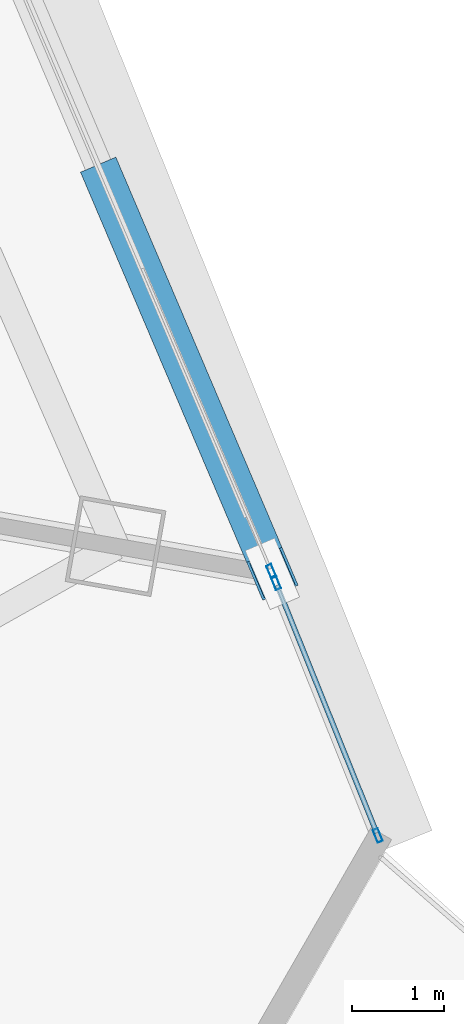
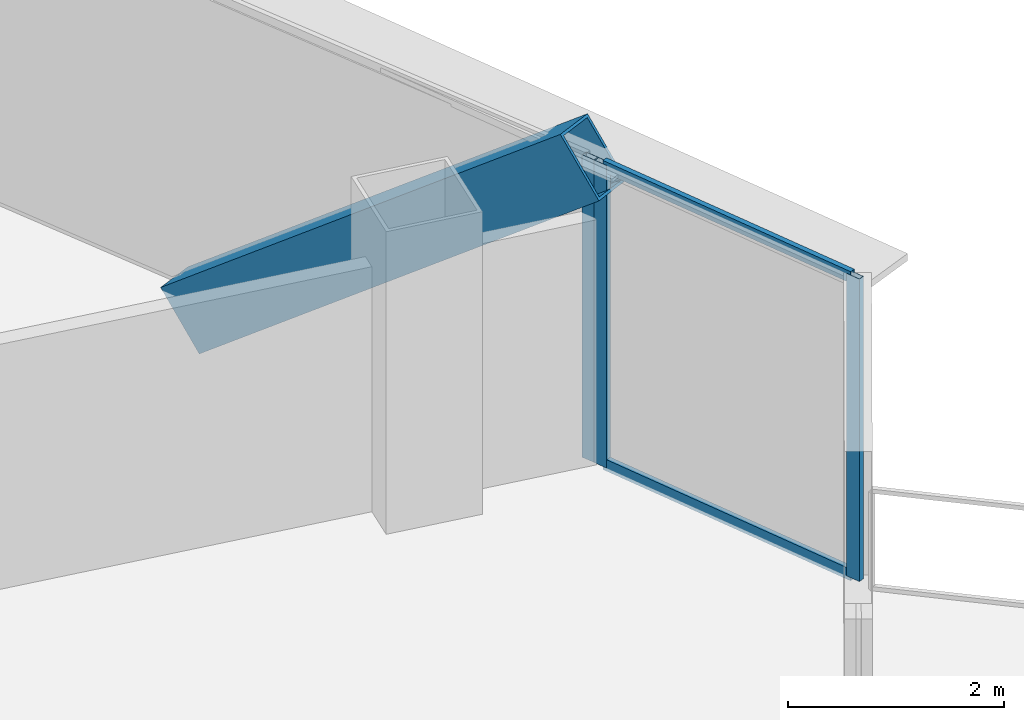
# One storey, part 24 of 39: 6 members, 2 elements without a shape of their own.
"""IFC4 building model written with IfcOpenShell, lengths in metres."""

from ifc_helpers import new_model, si_unit, direction, frame, origin, origin_2d, place, context, subcontext, project, spatial, hollow_rectangle, extrude, source, transform, mapped, material, layer, layer_set, material_profile, profile_set, type_object, element, aggregate, save


model = new_model("IFC4")

# Units and contexts
model_context = context("Model", 3, precision=1e-05, world=origin(), true_north=direction((0.0, 1.0)))
body_context = subcontext(model_context, "Body", "Model", "MODEL_VIEW")
ifc_project = project(units=[si_unit("LENGTHUNIT", "METRE"), si_unit("AREAUNIT", "SQUARE_METRE"), si_unit("VOLUMEUNIT", "CUBIC_METRE"), si_unit("PLANEANGLEUNIT", "RADIAN"), si_unit("MASSUNIT", "GRAM", prefix="KILO"), si_unit("THERMODYNAMICTEMPERATUREUNIT", "KELVIN"), si_unit("POWERUNIT", "WATT")], contexts=[model_context])

# Site, building, storey
site_placement = place(None, origin())
site = spatial("IfcSite", under=ifc_project, at=site_placement, CompositionType="ELEMENT")
building_placement = place(site_placement, origin())
building = spatial("IfcBuilding", under=site, at=building_placement, Name="Yunzhuo Pagoda Commons", CompositionType="ELEMENT")
storey_placement = place(building_placement, frame((0.0, 0.0, 140.8701171875)))
storey = spatial("IfcBuildingStorey", under=building, at=storey_placement, Name="L35", CompositionType="ELEMENT", Elevation=140.8701171875)

# Member
ifc_material_1 = material(Name="Structural steel Q420B", Category="steel")
ifc_material_profile_1 = material_profile(ifc_material_1, hollow_rectangle(XDim=0.419921875, YDim=0.719970703125, WallThickness=0.028076171875, at=origin_2d()), Name="Structural steel Q420B")
ifc_profile_set_1 = profile_set([ifc_material_profile_1], Name="Structural steel Q420B")
member_type_1 = type_object("IfcMemberType", Name="M-DL1 Brace BOX 720x420x28", PredefinedType="BRACE", material=ifc_profile_set_1)
shared_shape_1 = source(origin(), body_context, "Body", "SweptSolid", [
    extrude(hollow_rectangle(XDim=0.419921875, YDim=0.719970703125, WallThickness=0.028076171875, at=origin_2d()), origin(), (0.0, 0.0, 1.0), 5.915283203125),
])
member_1_placement = place(storey_placement, frame((84.894775390625, 31.1357421875, -0.260009765625), z_axis=(0.306695249889, -0.720368576444, 0.622098977469), x_axis=(0.920083094717, 0.391723242629, 0.0)))
element("IfcMember", 1, at=member_1_placement, inside=storey, type_object=member_type_1, Name="L35 facade diamond brace F2.1L", PredefinedType="BRACE", context=body_context, shape_type="MappedRepresentation", body=[
    mapped(shared_shape_1, transform((0.0, 0.0, 0.0), scale=1.0)),
])

# Curtain wall, member
ifc_material_2 = material(Name="Anodized aluminium 6063-T6", Category="aluminium")
ifc_layer = layer(ifc_material_2, 0.14990234375)
ifc_layer_set = layer_set([ifc_layer], Name="Anodized aluminium 6063-T6")
curtain_wall_type = type_object("IfcCurtainWallType", Name="CW-MID Mid-Zone Ribbon Curtain Wall", PredefinedType="NOTDEFINED", material=ifc_layer_set)
curtain_wall_1_placement = place(storey_placement, origin())
curtain_wall_1 = element("IfcCurtainWall", 2, at=curtain_wall_1_placement, inside=storey, type_object=curtain_wall_type, Name="L35 curtain wall CW-L35-F2B2", PredefinedType="NOTDEFINED")
ifc_material_profile_2 = material_profile(ifc_material_2, hollow_rectangle(XDim=0.06005859375, YDim=0.14990234375, WallThickness=0.00390625, at=origin_2d()), Name="Anodized aluminium 6063-T6")
ifc_profile_set_2 = profile_set([ifc_material_profile_2], Name="Anodized aluminium 6063-T6")
member_type_2 = type_object("IfcMemberType", Name="CW-MID-M Mullion RHS 150x60x4", PredefinedType="MULLION", material=ifc_profile_set_2)
shared_shape_2 = source(origin(), body_context, "Body", "SweptSolid", [
    extrude(hollow_rectangle(XDim=0.06005859375, YDim=0.14990234375, WallThickness=0.00390625, at=origin_2d()), origin(), (0.0, 0.0, 1.0), 3.419921875),
])
member_2_placement = place(storey_placement, frame((86.697265625, 26.902099609375, 0.0), z_axis=(0.0, 0.0, 1.0), x_axis=(-0.920072228059, -0.391748765351, 0.0)))
member_2 = element("IfcMember", 3, at=member_2_placement, type_object=member_type_2, Name="CW mullion 1", PredefinedType="MULLION", context=body_context, shape_type="MappedRepresentation", body=[
    mapped(shared_shape_2, transform((0.0, 0.0, 0.0), scale=1.0)),
])
aggregate(curtain_wall_1, [member_2])

# Curtain wall, members
curtain_wall_2_placement = place(storey_placement, origin())
curtain_wall_2 = element("IfcCurtainWall", 4, at=curtain_wall_2_placement, inside=storey, type_object=curtain_wall_type, Name="L35 curtain wall CW-L35-F2B1", PredefinedType="NOTDEFINED")
member_3_placement = place(storey_placement, frame((87.859619140625, 24.017822265625, 0.0), z_axis=(0.0, 0.0, 1.0), x_axis=(-0.927583162846, -0.373616750166, 0.0)))
member_3 = element("IfcMember", 5, at=member_3_placement, type_object=member_type_2, Name="CW mullion 1", PredefinedType="MULLION", context=body_context, shape_type="MappedRepresentation", body=[
    mapped(shared_shape_2, transform((0.0, 0.0, 0.0), scale=1.0)),
])
member_4_placement = place(storey_placement, frame((86.748291015625, 26.777099609375, 0.0), z_axis=(0.0, 0.0, 1.0), x_axis=(-0.927583162846, -0.373616750166, 0.0)))
member_4 = element("IfcMember", 6, at=member_4_placement, type_object=member_type_2, Name="CW mullion 2", PredefinedType="MULLION", context=body_context, shape_type="MappedRepresentation", body=[
    mapped(shared_shape_2, transform((0.0, 0.0, 0.0), scale=1.0)),
])
ifc_material_profile_3 = material_profile(ifc_material_2, hollow_rectangle(XDim=0.054931640625, YDim=0.1298828125, WallThickness=0.00341796875, at=origin_2d()), Name="Anodized aluminium 6063-T6")
ifc_profile_set_3 = profile_set([ifc_material_profile_3], Name="Anodized aluminium 6063-T6")
member_type_3 = type_object("IfcMemberType", Name="CW-MID-T Transom RHS 130x55x3.5", PredefinedType="USERDEFINED", material=ifc_profile_set_3)
shared_shape_3 = source(origin(), body_context, "Body", "SweptSolid", [
    extrude(hollow_rectangle(XDim=0.054931640625, YDim=0.1298828125, WallThickness=0.00341796875, at=origin_2d()), origin(), (0.0, 0.0, 1.0), 2.91455078125),
])
member_5_placement = place(storey_placement, frame((87.848388671875, 24.045654296875, 0.02734375), z_axis=(-0.373512741119, 0.927625049372, 0.0), x_axis=(-0.927625049372, -0.373512741119, 0.0)))
member_5 = element("IfcMember", 7, at=member_5_placement, type_object=member_type_3, Name="CW transom 1.1", ObjectType="TRANSOM", PredefinedType="USERDEFINED", context=body_context, shape_type="MappedRepresentation", body=[
    mapped(shared_shape_3, transform((0.0, 0.0, 0.0), scale=1.0)),
])
member_6_placement = place(storey_placement, frame((87.848388671875, 24.045654296875, 3.392333984375), z_axis=(-0.373512741119, 0.927625049372, 0.0), x_axis=(-0.927625049372, -0.373512741119, 0.0)))
member_6 = element("IfcMember", 8, at=member_6_placement, type_object=member_type_3, Name="CW transom 1.2", ObjectType="TRANSOM", PredefinedType="USERDEFINED", context=body_context, shape_type="MappedRepresentation", body=[
    mapped(shared_shape_3, transform((0.0, 0.0, 0.0), scale=1.0)),
])
aggregate(curtain_wall_2, [member_3, member_4, member_5, member_6])

save(model, "model.ifc")
